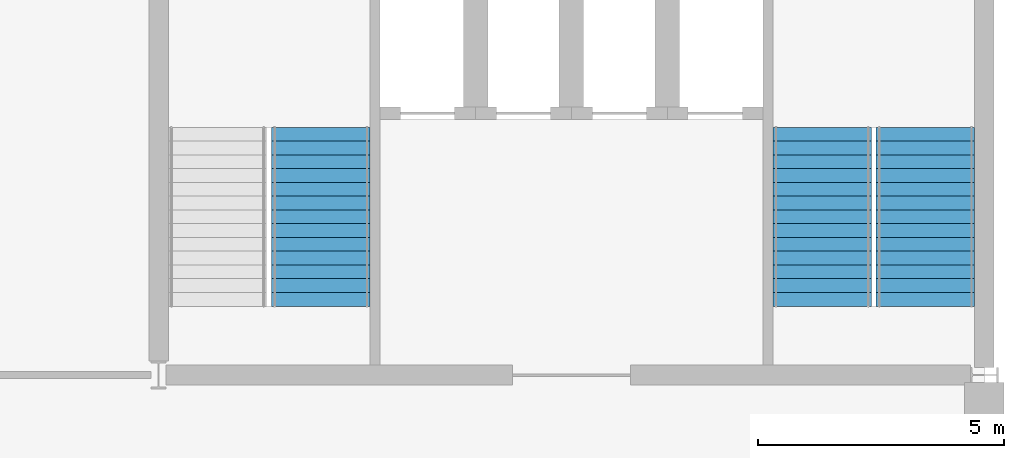
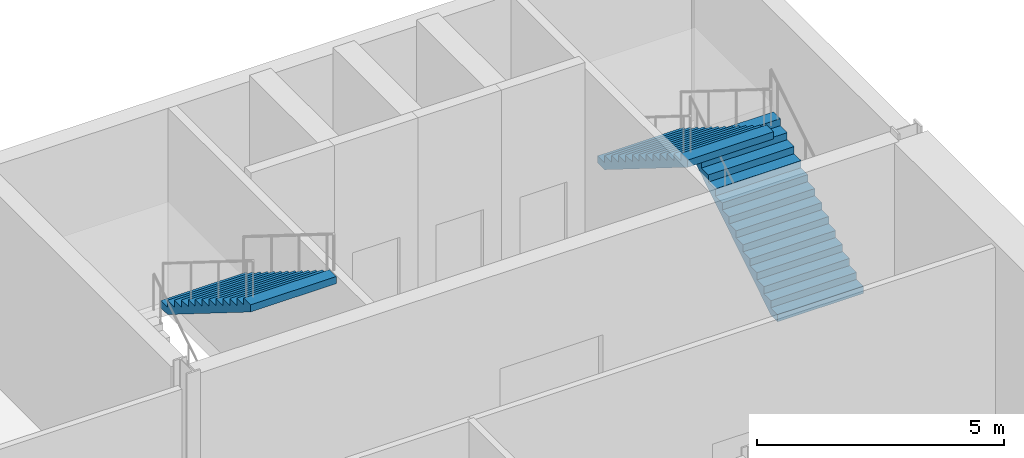
# One storey, part 19 of 20: 3 stair flights, 2 elements without a shape of their own.
"""IFC4 building model written with IfcOpenShell, lengths in metres."""

from ifc_helpers import new_model, si_unit, direction, frame, origin, place, context, subcontext, project, spatial, polyline, outline, extrude, material, type_object, element, aggregate, save


model = new_model("IFC4")

# Units and contexts
model_context = context("Model", 3, precision=1e-05, world=origin(), true_north=direction((0.0, 1.0)))
body_context = subcontext(model_context, "Body", "Model", "MODEL_VIEW")
ifc_project = project(units=[si_unit("LENGTHUNIT", "METRE"), si_unit("AREAUNIT", "SQUARE_METRE"), si_unit("VOLUMEUNIT", "CUBIC_METRE"), si_unit("PLANEANGLEUNIT", "RADIAN"), si_unit("MASSUNIT", "GRAM", prefix="KILO")], contexts=[model_context])

# Site, building, storey
site_placement = place(None, origin())
site = spatial("IfcSite", under=ifc_project, at=site_placement, CompositionType="ELEMENT")
building_placement = place(site_placement, origin())
building = spatial("IfcBuilding", under=site, at=building_placement, Name="Galleria Vessillo Department Store", CompositionType="ELEMENT")
storey_placement = place(building_placement, frame((0.0, 0.0, -4.89990234375)))
storey = spatial("IfcBuildingStorey", under=building, at=storey_placement, Name="B1", CompositionType="ELEMENT", Elevation=-4.89990234375)

# Stair, stair flight
ifc_material_1 = material(Name="Concrete C32/40", Category="concrete")
stair_type = type_object("IfcStairType", Name="Half-turn escape stair 2000 mm, 28 risers of 175 mm", PredefinedType="HALF_TURN_STAIR", material=ifc_material_1)
stair_1_placement = place(storey_placement, origin())
stair_1 = element("IfcStair", 1, at=stair_1_placement, inside=storey, type_object=stair_type, Name="Stair ST8 B1", PredefinedType="HALF_TURN_STAIR")
ifc_material_2 = material(Name="Concrete C32/40", Category="concrete")
stair_flight_type = type_object("IfcStairFlightType", Name="Stair flight 2000 mm, 14 risers of 175 mm", PredefinedType="STRAIGHT", material=ifc_material_2)
stair_flight_1_placement = place(storey_placement, frame((104.10009765625, 59.639404296875, 2.449951171875), z_axis=(0.0, 0.0, 1.0), x_axis=(0.0, -1.0, 0.0)))
stair_flight_1 = element("IfcStairFlight", 2, at=stair_flight_1_placement, type_object=stair_flight_type, Name="ST8 flight 2", NumberOfRisers=14, NumberOfTreads=13, PredefinedType="STRAIGHT", RiserHeight=0.175, TreadLength=0.28, context=body_context, shape_type="SweptSolid", body=[
    extrude(outline(polyline([(0.0, 0.0), (0.0, 0.175048828125), (0.280029296875, 0.175048828125), (0.280029296875, 0.35009765625), (0.56005859375, 0.35009765625), (0.56005859375, 0.52490234375), (0.840087890625, 0.52490234375), (0.840087890625, 0.699951171875), (1.1201171875, 0.699951171875), (1.1201171875, 0.875), (1.39990234375, 0.875), (1.39990234375, 1.050048828125), (1.679931640625, 1.050048828125), (1.679931640625, 1.22509765625), (1.9599609375, 1.22509765625), (1.9599609375, 1.39990234375), (2.239990234375, 1.39990234375), (2.239990234375, 1.574951171875), (2.52001953125, 1.574951171875), (2.52001953125, 1.75), (2.800048828125, 1.75), (2.800048828125, 1.925048828125), (3.080078125, 1.925048828125), (3.080078125, 2.10009765625), (3.360107421875, 2.10009765625), (3.360107421875, 2.27490234375), (3.639892578125, 2.27490234375), (3.639892578125, 2.449951171875), (3.639892578125, 2.09814453125), (0.28271484375, 0.0), (0.0, 0.0)])), frame((0.0, 1.0, 0.0), z_axis=(0.0, -1.0, 0.0), x_axis=(1.0, 0.0, 0.0)), (0.0, 0.0, 1.0), 2.0),
])
aggregate(stair_1, [stair_flight_1])

# Stair, stair flights
stair_2_placement = place(storey_placement, origin())
stair_2 = element("IfcStair", 3, at=stair_2_placement, inside=storey, type_object=stair_type, Name="Stair ST9 B1", PredefinedType="HALF_TURN_STAIR")
stair_flight_2_placement = place(storey_placement, frame((116.39990234375, 55.99951171875, 0.0), z_axis=(0.0, 0.0, 1.0), x_axis=(0.0, 1.0, 0.0)))
stair_flight_2 = element("IfcStairFlight", 4, at=stair_flight_2_placement, type_object=stair_flight_type, Name="ST9 flight 1", NumberOfRisers=14, NumberOfTreads=13, PredefinedType="STRAIGHT", RiserHeight=0.175, TreadLength=0.28, context=body_context, shape_type="SweptSolid", body=[
    extrude(outline(polyline([(0.0, 0.0), (0.0, 0.175048828125), (0.280029296875, 0.175048828125), (0.280029296875, 0.35009765625), (0.56005859375, 0.35009765625), (0.56005859375, 0.52490234375), (0.840087890625, 0.52490234375), (0.840087890625, 0.699951171875), (1.1201171875, 0.699951171875), (1.1201171875, 0.875), (1.39990234375, 0.875), (1.39990234375, 1.050048828125), (1.679931640625, 1.050048828125), (1.679931640625, 1.22509765625), (1.9599609375, 1.22509765625), (1.9599609375, 1.39990234375), (2.239990234375, 1.39990234375), (2.239990234375, 1.574951171875), (2.52001953125, 1.574951171875), (2.52001953125, 1.75), (2.800048828125, 1.75), (2.800048828125, 1.925048828125), (3.080078125, 1.925048828125), (3.080078125, 2.10009765625), (3.360107421875, 2.10009765625), (3.360107421875, 2.27490234375), (3.639892578125, 2.27490234375), (3.639892578125, 2.449951171875), (3.639892578125, 2.09814453125), (0.28271484375, 0.0), (0.0, 0.0)])), frame((0.0, 1.0, 0.0), z_axis=(0.0, -1.0, 0.0), x_axis=(1.0, 0.0, 0.0)), (0.0, 0.0, 1.0), 2.0),
])
stair_flight_3_placement = place(storey_placement, frame((114.300048828125, 59.639404296875, 2.449951171875), z_axis=(0.0, 0.0, 1.0), x_axis=(0.0, -1.0, 0.0)))
stair_flight_3 = element("IfcStairFlight", 5, at=stair_flight_3_placement, type_object=stair_flight_type, Name="ST9 flight 2", NumberOfRisers=14, NumberOfTreads=13, PredefinedType="STRAIGHT", RiserHeight=0.175, TreadLength=0.28, context=body_context, shape_type="SweptSolid", body=[
    extrude(outline(polyline([(0.0, 0.0), (0.0, 0.175048828125), (0.280029296875, 0.175048828125), (0.280029296875, 0.35009765625), (0.56005859375, 0.35009765625), (0.56005859375, 0.52490234375), (0.840087890625, 0.52490234375), (0.840087890625, 0.699951171875), (1.1201171875, 0.699951171875), (1.1201171875, 0.875), (1.39990234375, 0.875), (1.39990234375, 1.050048828125), (1.679931640625, 1.050048828125), (1.679931640625, 1.22509765625), (1.9599609375, 1.22509765625), (1.9599609375, 1.39990234375), (2.239990234375, 1.39990234375), (2.239990234375, 1.574951171875), (2.52001953125, 1.574951171875), (2.52001953125, 1.75), (2.800048828125, 1.75), (2.800048828125, 1.925048828125), (3.080078125, 1.925048828125), (3.080078125, 2.10009765625), (3.360107421875, 2.10009765625), (3.360107421875, 2.27490234375), (3.639892578125, 2.27490234375), (3.639892578125, 2.449951171875), (3.639892578125, 2.09814453125), (0.28271484375, 0.0), (0.0, 0.0)])), frame((0.0, 1.0, 0.0), z_axis=(0.0, -1.0, 0.0), x_axis=(1.0, 0.0, 0.0)), (0.0, 0.0, 1.0), 2.0),
])
aggregate(stair_2, [stair_flight_2, stair_flight_3])

save(model, "model.ifc")
